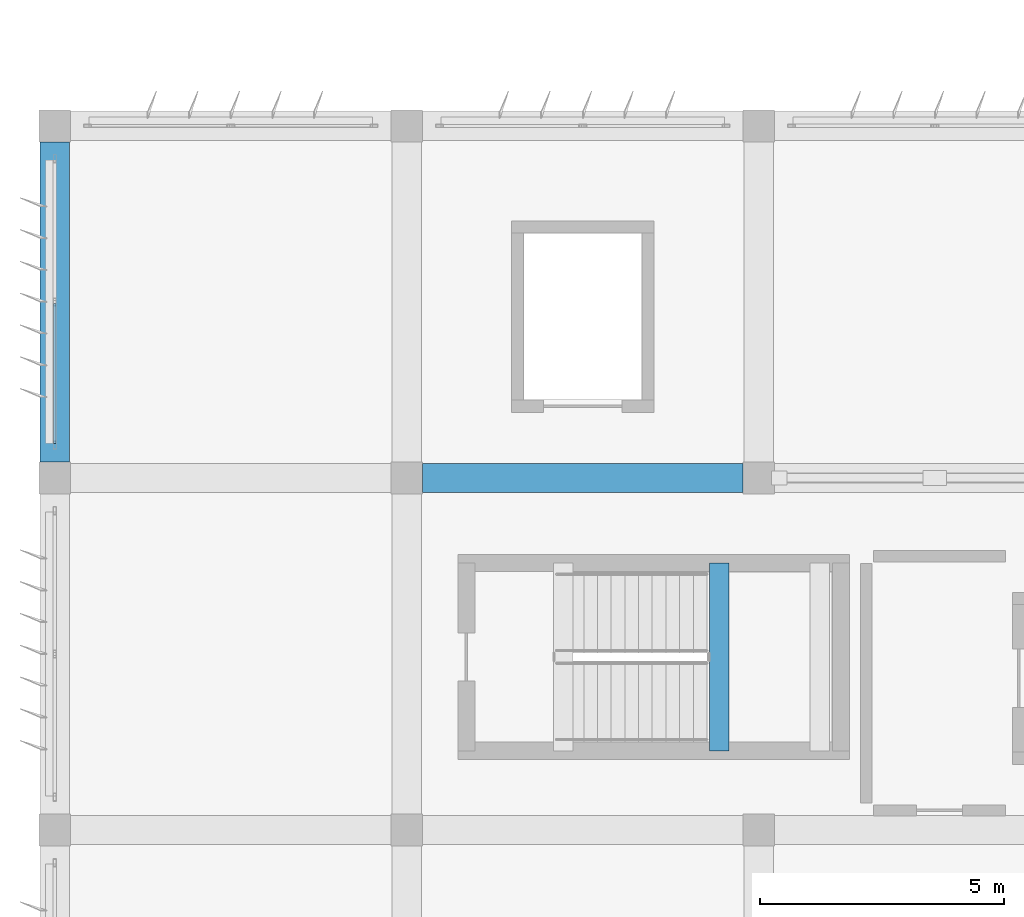
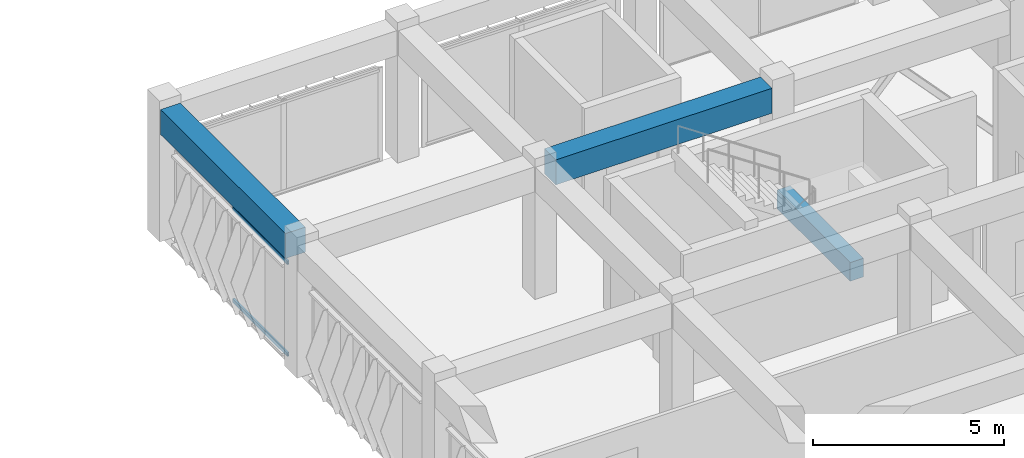
# One storey, part 12 of 56: 3 beams, 2 members, 1 element without a shape of its own.
"""IFC4 building model written with IfcOpenShell, lengths in metres."""

from ifc_helpers import new_model, si_unit, direction, frame, origin, origin_2d, place, context, subcontext, project, spatial, rectangle, hollow_rectangle, extrude, material, material_profile, profile_set, type_object, element, aggregate, save


model = new_model("IFC4")

# Units and contexts
model_context = context("Model", 3, precision=1e-05, world=origin(), true_north=direction((0.0, 1.0)))
body_context = subcontext(model_context, "Body", "Model", "MODEL_VIEW")
ifc_project = project(units=[si_unit("LENGTHUNIT", "METRE"), si_unit("AREAUNIT", "SQUARE_METRE"), si_unit("VOLUMEUNIT", "CUBIC_METRE"), si_unit("PLANEANGLEUNIT", "RADIAN"), si_unit("MASSUNIT", "GRAM", prefix="KILO")], contexts=[model_context])

# Site, building, storey
site_placement = place(None, origin())
site = spatial("IfcSite", under=ifc_project, at=site_placement, CompositionType="ELEMENT")
building_placement = place(site_placement, origin())
building = spatial("IfcBuilding", under=site, at=building_placement, Name="Kazehaya Institute of Natural Sciences", CompositionType="ELEMENT")
storey_placement = place(building_placement, frame((0.0, 0.0, 28.800048828125)))
storey = spatial("IfcBuildingStorey", under=building, at=storey_placement, Name="L06", CompositionType="ELEMENT", Elevation=28.800048828125)

# Beams
ifc_material_1 = material(Name="Concrete Fc36", Category="concrete")
ifc_material_profile_1 = material_profile(ifc_material_1, rectangle(XDim=0.39990234375, YDim=0.60009765625, at=origin_2d()), Name="RC-400x600")
ifc_profile_set_1 = profile_set([ifc_material_profile_1], Name="Concrete Fc36")
beam_type_1 = type_object("IfcBeamType", Name="BM-B-400x600", PredefinedType="BEAM", material=ifc_profile_set_1)
beam_1_placement = place(storey_placement, frame((68.18994140625, 22.820068359375, 1.7900390625), z_axis=(0.0, 1.0, 0.0), x_axis=(-1.0, 0.0, 0.0)))
element("IfcBeam", 1, at=beam_1_placement, inside=storey, type_object=beam_type_1, Name="L06 ST-1 landing beam 1", PredefinedType="BEAM", context=body_context, shape_type="SweptSolid", body=[
    extrude(rectangle(XDim=0.39990234375, YDim=0.60009765625, at=origin_2d()), origin(), (0.0, 0.0, 1.0), 3.83984375),
])
ifc_material_profile_2 = material_profile(ifc_material_1, rectangle(XDim=0.60009765625, YDim=0.800048828125, at=origin_2d()), Name="RC-600x800")
ifc_profile_set_2 = profile_set([ifc_material_profile_2], Name="Concrete Fc36")
beam_type_2 = type_object("IfcBeamType", Name="BM-G-600x800", PredefinedType="BEAM", material=ifc_profile_set_2)
beam_2_placement = place(storey_placement, frame((62.125, 28.39990234375, 3.829833984375), z_axis=(1.0, 0.0, 0.0), x_axis=(0.0, 1.0, 0.0)))
element("IfcBeam", 2, at=beam_2_placement, inside=storey, type_object=beam_type_2, Name="L06 primary X girder BMX-L06-618-284", PredefinedType="BEAM", context=body_context, shape_type="SweptSolid", body=[
    extrude(rectangle(XDim=0.60009765625, YDim=0.800048828125, at=origin_2d()), origin(), (0.0, 0.0, 1.0), 6.550048828125),
])
beam_3_placement = place(storey_placement, frame((54.60009765625, 28.72509765625, 3.829833984375), z_axis=(0.0, 1.0, 0.0), x_axis=(-1.0, 0.0, 0.0)))
element("IfcBeam", 3, at=beam_3_placement, inside=storey, type_object=beam_type_2, Name="L06 primary Y girder BMY-L06-546-284", PredefinedType="BEAM", context=body_context, shape_type="SweptSolid", body=[
    extrude(rectangle(XDim=0.60009765625, YDim=0.800048828125, at=origin_2d()), origin(), (0.0, 0.0, 1.0), 6.5498046875),
])

# Curtain wall, members
ifc_material_2 = material(Name="Aluminium alloy A6063S-T5", Category="aluminium")
curtain_wall_type = type_object("IfcCurtainWallType", Name="CW-SYS-10", PredefinedType="NOTDEFINED", material=ifc_material_2)
curtain_wall_placement = place(storey_placement, origin())
curtain_wall = element("IfcCurtainWall", 4, at=curtain_wall_placement, inside=storey, type_object=curtain_wall_type, Name="L06 unitised curtain wall CW-L06-146", PredefinedType="NOTDEFINED")
ifc_material_profile_3 = material_profile(ifc_material_2, hollow_rectangle(XDim=0.06005859375, YDim=0.1201171875, WallThickness=0.00341796875, at=origin_2d()), Name="ALU-60x120x3.5")
ifc_profile_set_3 = profile_set([ifc_material_profile_3], Name="Aluminium alloy A6063S-T5")
member_type = type_object("IfcMemberType", Name="CWT-120", PredefinedType="USERDEFINED", material=ifc_profile_set_3)
member_1_placement = place(storey_placement, frame((54.60009765625, 29.10009765625, 0.030029296875), z_axis=(0.0, 1.0, 0.0), x_axis=(-1.0, 0.0, 0.0)))
member_1 = element("IfcMember", 5, at=member_1_placement, type_object=member_type, Name="CW10 transom 1.1", ObjectType="TRANSOM", PredefinedType="USERDEFINED", context=body_context, shape_type="SweptSolid", body=[
    extrude(hollow_rectangle(XDim=0.06005859375, YDim=0.1201171875, WallThickness=0.00341796875, at=origin_2d()), origin(), (0.0, 0.0, 1.0), 2.869873046875),
])
member_2_placement = place(storey_placement, frame((54.60009765625, 29.10009765625, 2.969970703125), z_axis=(0.0, 1.0, 0.0), x_axis=(-1.0, 0.0, 0.0)))
member_2 = element("IfcMember", 6, at=member_2_placement, type_object=member_type, Name="CW10 transom 1.2", ObjectType="TRANSOM", PredefinedType="USERDEFINED", context=body_context, shape_type="SweptSolid", body=[
    extrude(hollow_rectangle(XDim=0.06005859375, YDim=0.1201171875, WallThickness=0.00341796875, at=origin_2d()), origin(), (0.0, 0.0, 1.0), 2.869873046875),
])
aggregate(curtain_wall, [member_1, member_2])

save(model, "model.ifc")
